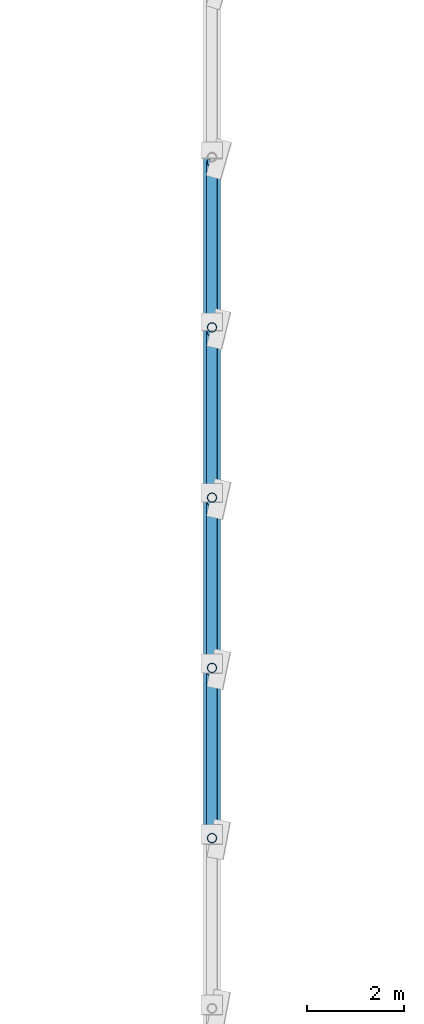
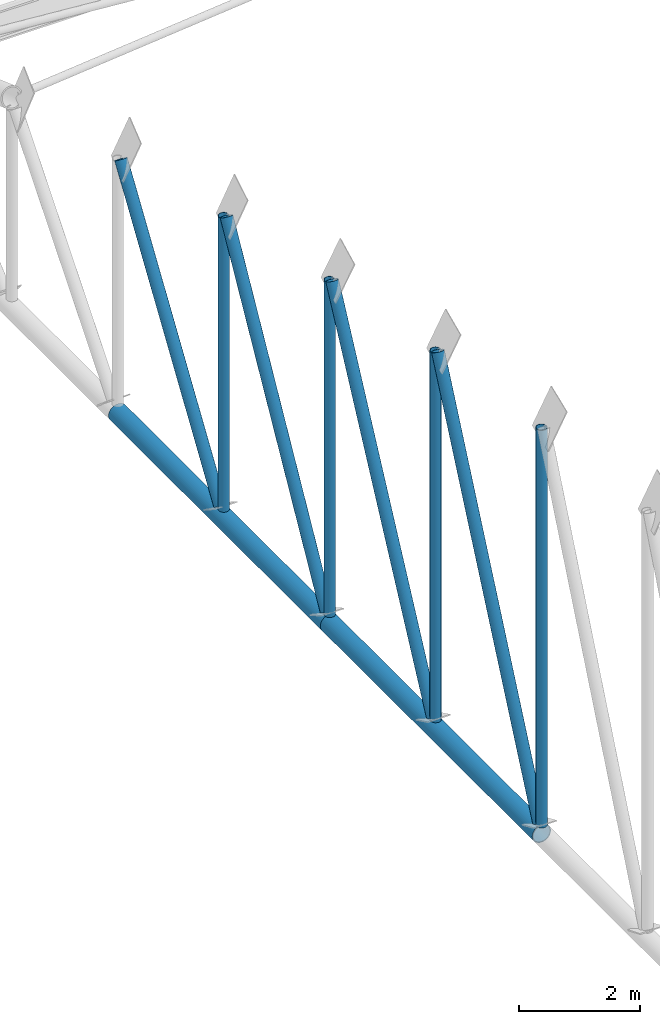
# One storey, part 87 of 196: 10 members.
"""IFC4 building model written with IfcOpenShell, lengths in metres."""

import ifcopenshell
import ifcopenshell.guid

model = None  # the IFC model being written
_history = None  # IfcOwnerHistory: only IFC2X3 demands one
_inside = {}  # id of a spatial element -> (the spatial element, [elements in it])
_under = {}  # id of a project, library or spatial element -> (it, [spatial elements below it])
_declared = {}  # id of a project -> (the project, [libraries it declares])
_typed = {}  # id of a type object -> (the type object, [elements of that type])
_made_of = {}  # id of a material, layer set ... -> (it, [elements and type objects made of it])


def new_model(schema):
    """Start an empty IFC model of exactly this schema.

    Asked for "IFC4X3", IfcOpenShell would pick the latest addendum, in which some entities
    have other attributes; the version numbers below select the first issue.
    IFC2X3 requires an IfcOwnerHistory on every rooted entity: one is made here for all.
    """
    global model, _history
    if schema == "IFC4X3":
        model = ifcopenshell.file(schema_version=(4, 3, 0, 0))
    else:
        model = ifcopenshell.file(schema=schema)
    _inside.clear()
    _under.clear()
    _declared.clear()
    _typed.clear()
    _made_of.clear()
    _history = None
    if model.schema == "IFC2X3":
        org = make("IfcOrganization", Name="unknown")
        user = make(
            "IfcPersonAndOrganization",
            ThePerson=make("IfcPerson", FamilyName="unknown"),
            TheOrganization=org,
        )
        app = make(
            "IfcApplication",
            ApplicationDeveloper=org,
            Version="unknown",
            ApplicationFullName="unknown",
            ApplicationIdentifier="unknown",
        )
        _history = make(
            "IfcOwnerHistory",
            OwningUser=user,
            OwningApplication=app,
            ChangeAction="ADDED",
            CreationDate=0,
        )
    return model


def make(cls, **values):
    """One entity of the class cls with the attributes given. An attribute that is None is left unset."""
    return model.create_entity(
        cls, **{name: value for name, value in values.items() if value is not None}
    )


def rooted(cls, **values):
    """An entity with a GlobalId (a new one), such as an element, a storey or a relation."""
    return make(cls, GlobalId=ifcopenshell.guid.new(), OwnerHistory=_history, **values)


def si_unit(unit_type, name, prefix=None):
    """IfcSIUnit, for example si_unit("LENGTHUNIT", "METRE", prefix="MILLI")."""
    return make("IfcSIUnit", UnitType=unit_type, Prefix=prefix, Name=name)


def assignment(units):
    """IfcUnitAssignment: the units of a project."""
    return None if units is None else make("IfcUnitAssignment", Units=units)


def point(xyz):
    """IfcCartesianPoint."""
    return None if xyz is None else make("IfcCartesianPoint", Coordinates=xyz)


def direction(xyz):
    """IfcDirection."""
    return None if xyz is None else make("IfcDirection", DirectionRatios=xyz)


def frame(location, z_axis=None, x_axis=None):
    """IfcAxis2Placement3D, a coordinate frame: its origin and axes. An axis left out is left unset."""
    return make(
        "IfcAxis2Placement3D",
        Location=point(location),
        Axis=direction(z_axis),
        RefDirection=direction(x_axis),
    )


def frame_2d(location, x_axis=None):
    """IfcAxis2Placement2D, a coordinate frame in the plane: its origin and x axis."""
    return make(
        "IfcAxis2Placement2D", Location=point(location), RefDirection=direction(x_axis)
    )


def origin():
    """The frame at (0, 0, 0) with its axes left unset."""
    return frame((0.0, 0.0, 0.0))


def origin_2d():
    """The frame at (0, 0) in the plane with its x axis left unset."""
    return frame_2d((0.0, 0.0))


def place(relative_to, where):
    """IfcLocalPlacement: puts the frame where relative to a parent placement (None: the world)."""
    return make(
        "IfcLocalPlacement", PlacementRelTo=relative_to, RelativePlacement=where
    )


def context(
    kind, dimensions, precision=None, world=None, true_north=None, identifier=None
):
    """IfcGeometricRepresentationContext, for example the 3D "Model" context."""
    return make(
        "IfcGeometricRepresentationContext",
        ContextIdentifier=identifier,
        ContextType=kind,
        CoordinateSpaceDimension=dimensions,
        Precision=precision,
        WorldCoordinateSystem=world,
        TrueNorth=true_north,
    )


def subcontext(parent, identifier, kind, view, scale=None):
    """IfcGeometricRepresentationSubContext, for example "Body" below "Model"."""
    return make(
        "IfcGeometricRepresentationSubContext",
        ContextIdentifier=identifier,
        ContextType=kind,
        ParentContext=parent,
        TargetScale=scale,
        TargetView=view,
    )


def project(units=None, contexts=None):
    """IfcProject with its units and contexts."""
    return rooted(
        "IfcProject",
        Name="project",
        RepresentationContexts=contexts,
        UnitsInContext=assignment(units),
    )


def spatial(cls, under=None, at=None, **own):
    """A site, building, storey or space (cls), placed at a placement, below another one or the project."""
    s = rooted(cls, ObjectPlacement=at, **own)
    if under is not None:
        _under.setdefault(under.id(), (under, []))[1].append(s)
    return s


def profile(cls, at=None, kind="AREA", **sizes):
    """A parametric profile (cls). Its sizes go by their IFC names, for example OverallWidth=200.0."""
    return make(cls, ProfileType=kind, Position=at, **sizes)


def hollow_circle(**sizes):
    """IfcCircleHollowProfileDef."""
    return profile("IfcCircleHollowProfileDef", **sizes)


def extrude(swept, where, along, depth):
    """IfcExtrudedAreaSolid: the profile swept, set in the frame where, extruded along a direction by depth."""
    return make(
        "IfcExtrudedAreaSolid",
        SweptArea=swept,
        Position=where,
        ExtrudedDirection=direction(along),
        Depth=depth,
    )


def shape(context_of_items, identifier, shape_type, items):
    """IfcShapeRepresentation: the items that make up one representation, for example the "Body"."""
    return make(
        "IfcShapeRepresentation",
        ContextOfItems=context_of_items,
        RepresentationIdentifier=identifier,
        RepresentationType=shape_type,
        Items=items,
    )


def material(Name=None, Category=None):
    """IfcMaterial."""
    return make("IfcMaterial", Name=Name, Category=Category)


def material_profile(
    of_material, cross_section, Name=None, Category=None, Priority=None
):
    """IfcMaterialProfile: a cross section and its material."""
    return make(
        "IfcMaterialProfile",
        Name=Name,
        Material=of_material,
        Profile=cross_section,
        Priority=Priority,
        Category=Category,
    )


def profile_set(profiles, Name=None, composite=None):
    """IfcMaterialProfileSet."""
    return make(
        "IfcMaterialProfileSet",
        Name=Name,
        MaterialProfiles=profiles,
        CompositeProfile=composite,
    )


def made_of(thing, what):
    """Note that an element or type object is made of a material, layer set ...; save() writes the relation."""
    if what is not None:
        _made_of.setdefault(what.id(), (what, []))[1].append(thing)
    return thing


def type_object(cls, material=None, **own):
    """A type object (cls), such as IfcWallType, which elements share."""
    return made_of(rooted(cls, **own), material)


def element(
    cls,
    number,
    at=None,
    inside=None,
    cuts=None,
    type_object=None,
    material=None,
    context=None,
    identifier="Body",
    shape_type=None,
    held_by="IfcProductDefinitionShape",
    body=None,
    shapes=None,
    **own,
):
    """One element of the class cls, such as IfcWall. Its Tag is "e" and its number.

    at: its placement. inside: the storey or other place that contains it. cuts: it is an
    opening in that element (IfcRelVoidsElement). A single representation is given by context,
    identifier, shape_type and body (its items); several are given by shapes. held_by: the class
    of the entity that holds the representations. save() writes the other relations.
    """
    e = rooted(cls, Tag="e%d" % number, ObjectPlacement=at, **own)
    if body is not None:
        shapes = [shape(context, identifier, shape_type, body)]
    if shapes is not None:
        e.Representation = make(held_by, Representations=shapes)
    if inside is not None:
        _inside.setdefault(inside.id(), (inside, []))[1].append(e)
    if cuts is not None:
        rooted(
            "IfcRelVoidsElement", RelatingBuildingElement=cuts, RelatedOpeningElement=e
        )
    if type_object is not None:
        _typed.setdefault(type_object.id(), (type_object, []))[1].append(e)
    return made_of(e, material)


def aggregate(whole, parts):
    """IfcRelAggregates: a whole, such as a stair, and the parts it consists of."""
    return rooted("IfcRelAggregates", RelatingObject=whole, RelatedObjects=parts)


def save(model, path):
    """Write the relations noted so far, then the file.

    IfcRelAggregates (storeys below a building ...), IfcRelContainedInSpatialStructure (elements
    in a storey), IfcRelDefinesByType, IfcRelAssociatesMaterial and IfcRelDeclares: one each for
    every whole, place, type object, material and project.
    """
    for whole, parts in _under.values():
        aggregate(whole, parts)
    for where, things in _inside.values():
        rooted(
            "IfcRelContainedInSpatialStructure",
            RelatedElements=things,
            RelatingStructure=where,
        )
    for kind, things in _typed.values():
        rooted("IfcRelDefinesByType", RelatedObjects=things, RelatingType=kind)
    for what, things in _made_of.values():
        rooted("IfcRelAssociatesMaterial", RelatedObjects=things, RelatingMaterial=what)
    for by, libraries in _declared.values():
        rooted("IfcRelDeclares", RelatingContext=by, RelatedDefinitions=libraries)
    model.write(path)


model = new_model("IFC4")

# Units and contexts
model_context = context("Model", 3, precision=1e-05, world=origin(), true_north=direction((0.0, 1.0)))
body_context = subcontext(model_context, "Body", "Model", "MODEL_VIEW")
ifc_project = project(units=[si_unit("LENGTHUNIT", "METRE"), si_unit("AREAUNIT", "SQUARE_METRE"), si_unit("VOLUMEUNIT", "CUBIC_METRE"), si_unit("PLANEANGLEUNIT", "RADIAN"), si_unit("MASSUNIT", "GRAM", prefix="KILO")], contexts=[model_context])

# Site, building, storey
site_placement = place(None, origin())
site = spatial("IfcSite", under=ifc_project, at=site_placement, CompositionType="ELEMENT")
building_placement = place(site_placement, origin())
building = spatial("IfcBuilding", under=site, at=building_placement, Name="Okhra Congress Centre", CompositionType="ELEMENT")
storey_placement = place(building_placement, frame((0.0, 0.0, 12.0)))
storey = spatial("IfcBuildingStorey", under=building, at=storey_placement, Name="L02", CompositionType="ELEMENT", Elevation=12.0)

# Members
ifc_material = material(Name="Steel S355J2H", Category="steel")
ifc_material_profile_1 = material_profile(ifc_material, hollow_circle(Radius=0.096923828125, WallThickness=0.008056640625, at=origin_2d()), Name="CHS 193.7x8.0")
ifc_profile_set_1 = profile_set([ifc_material_profile_1], Name="Steel S355J2H")
member_type_1 = type_object("IfcMemberType", Name="CHS 193.7x8.0", PredefinedType="POST", material=ifc_profile_set_1)
member_1_placement = place(storey_placement, frame((136.0, 188.0, 1.577880859375), z_axis=(0.0, 0.0, 1.0), x_axis=(1.0, 0.0, 0.0)))
element("IfcMember", 1, at=member_1_placement, inside=storey, type_object=member_type_1, Name="EH.MEM.L02.T7-VER-16", PredefinedType="POST", context=body_context, shape_type="SweptSolid", body=[
    extrude(hollow_circle(Radius=0.096923828125, WallThickness=0.008056640625, at=origin_2d()), origin(), (0.0, 0.0, 1.0), 8.01708984375),
])
member_2_placement = place(storey_placement, frame((136.0, 191.5, 1.577880859375), z_axis=(0.0, 0.0, 1.0), x_axis=(1.0, 0.0, 0.0)))
element("IfcMember", 2, at=member_2_placement, inside=storey, type_object=member_type_1, Name="EH.MEM.L02.T7-VER-17", PredefinedType="POST", context=body_context, shape_type="SweptSolid", body=[
    extrude(hollow_circle(Radius=0.096923828125, WallThickness=0.008056640625, at=origin_2d()), origin(), (0.0, 0.0, 1.0), 7.448974609375),
])
member_3_placement = place(storey_placement, frame((136.0, 195.0, 1.577880859375), z_axis=(0.0, 0.0, 1.0), x_axis=(1.0, 0.0, 0.0)))
element("IfcMember", 3, at=member_3_placement, inside=storey, type_object=member_type_1, Name="EH.MEM.L02.T7-VER-18", PredefinedType="POST", context=body_context, shape_type="SweptSolid", body=[
    extrude(hollow_circle(Radius=0.096923828125, WallThickness=0.008056640625, at=origin_2d()), origin(), (0.0, 0.0, 1.0), 6.750244140625),
])
member_4_placement = place(storey_placement, frame((136.0, 198.5, 1.577880859375), z_axis=(0.0, 0.0, 1.0), x_axis=(1.0, 0.0, 0.0)))
element("IfcMember", 4, at=member_4_placement, inside=storey, type_object=member_type_1, Name="EH.MEM.L02.T7-VER-19", PredefinedType="POST", context=body_context, shape_type="SweptSolid", body=[
    extrude(hollow_circle(Radius=0.096923828125, WallThickness=0.008056640625, at=origin_2d()), origin(), (0.0, 0.0, 1.0), 5.917724609375),
])
ifc_material_profile_2 = material_profile(ifc_material, hollow_circle(Radius=0.109619140625, WallThickness=0.010009765625, at=origin_2d()), Name="CHS 219.1x10.0")
ifc_profile_set_2 = profile_set([ifc_material_profile_2], Name="Steel S355J2H")
member_type_2 = type_object("IfcMemberType", Name="CHS 219.1x10.0", PredefinedType="BRACE", material=ifc_profile_set_2)
member_5_placement = place(storey_placement, frame((136.0, 191.42236328125, 9.0595703125), z_axis=(0.0, -0.407953800593, -0.913002572057), x_axis=(1.0, 0.0, 0.0)))
element("IfcMember", 5, at=member_5_placement, inside=storey, type_object=member_type_2, Name="EH.MEM.L02.T7-DIA-16", PredefinedType="BRACE", context=body_context, shape_type="SweptSolid", body=[
    extrude(hollow_circle(Radius=0.109619140625, WallThickness=0.010009765625, at=origin_2d()), origin(), (0.0, 0.0, 1.0), 8.194580078125),
])
member_6_placement = place(storey_placement, frame((136.0, 194.916259765625, 8.365234375), z_axis=(0.0, -0.440367038805, -0.897817838503), x_axis=(1.0, 0.0, 0.0)))
element("IfcMember", 6, at=member_6_placement, inside=storey, type_object=member_type_2, Name="EH.MEM.L02.T7-DIA-17", PredefinedType="BRACE", context=body_context, shape_type="SweptSolid", body=[
    extrude(hollow_circle(Radius=0.109619140625, WallThickness=0.010009765625, at=origin_2d()), origin(), (0.0, 0.0, 1.0), 7.559814453125),
])
member_7_placement = place(storey_placement, frame((136.0, 198.4072265625, 7.538330078125), z_axis=(0.0, -0.485332749729, -0.874329527147), x_axis=(1.0, 0.0, 0.0)))
element("IfcMember", 7, at=member_7_placement, inside=storey, type_object=member_type_2, Name="EH.MEM.L02.T7-DIA-18", PredefinedType="BRACE", context=body_context, shape_type="SweptSolid", body=[
    extrude(hollow_circle(Radius=0.109619140625, WallThickness=0.010009765625, at=origin_2d()), origin(), (0.0, 0.0, 1.0), 6.817138671875),
])
ifc_material_profile_3 = material_profile(ifc_material, hollow_circle(Radius=0.109619140625, WallThickness=0.012451171875, at=origin_2d()), Name="CHS 219.1x12.5")
ifc_profile_set_3 = profile_set([ifc_material_profile_3], Name="Steel S355J2H")
member_type_3 = type_object("IfcMemberType", Name="CHS 219.1x12.5", PredefinedType="BRACE", material=ifc_profile_set_3)
member_8_placement = place(storey_placement, frame((136.0, 201.89404296875, 6.576416015625), z_axis=(0.0, -0.548312008951, -0.836273843211), x_axis=(1.0, 0.0, 0.0)))
element("IfcMember", 8, at=member_8_placement, inside=storey, type_object=member_type_3, Name="EH.MEM.L02.T7-DIA-19", PredefinedType="BRACE", context=body_context, shape_type="SweptSolid", body=[
    extrude(hollow_circle(Radius=0.109619140625, WallThickness=0.012451171875, at=origin_2d()), origin(), (0.0, 0.0, 1.0), 5.97705078125),
])
ifc_material_profile_4 = material_profile(ifc_material, hollow_circle(Radius=0.177734375, WallThickness=0.01611328125, at=origin_2d()), Name="CHS 355.6x16.0")
ifc_profile_set_4 = profile_set([ifc_material_profile_4], Name="Steel S355J2H")
member_type_4 = type_object("IfcMemberType", Name="CHS 355.6x16.0", PredefinedType="CHORD", material=ifc_profile_set_4)
for number, where, z_axis, x_axis, name in (
    (9, (136.0, 188.0, 1.39990234375), (0.0, 1.0, 0.0), (-1.0, 0.0, 0.0), "EH.MEM.L02.T7-BOT-09"),
    (10, (136.0, 195.0, 1.39990234375), (0.0, 1.0, 0.0), (-1.0, 0.0, 0.0), "EH.MEM.L02.T7-BOT-10"),
):
    element("IfcMember", number, at=place(storey_placement, frame(where, z_axis=z_axis, x_axis=x_axis)), inside=storey, type_object=member_type_4, Name=name, PredefinedType="CHORD", context=body_context, shape_type="SweptSolid", body=[
        extrude(hollow_circle(Radius=0.177734375, WallThickness=0.01611328125, at=origin_2d()), origin(), (0.0, 0.0, 1.0), 7.0),
    ])

save(model, "model.ifc")
